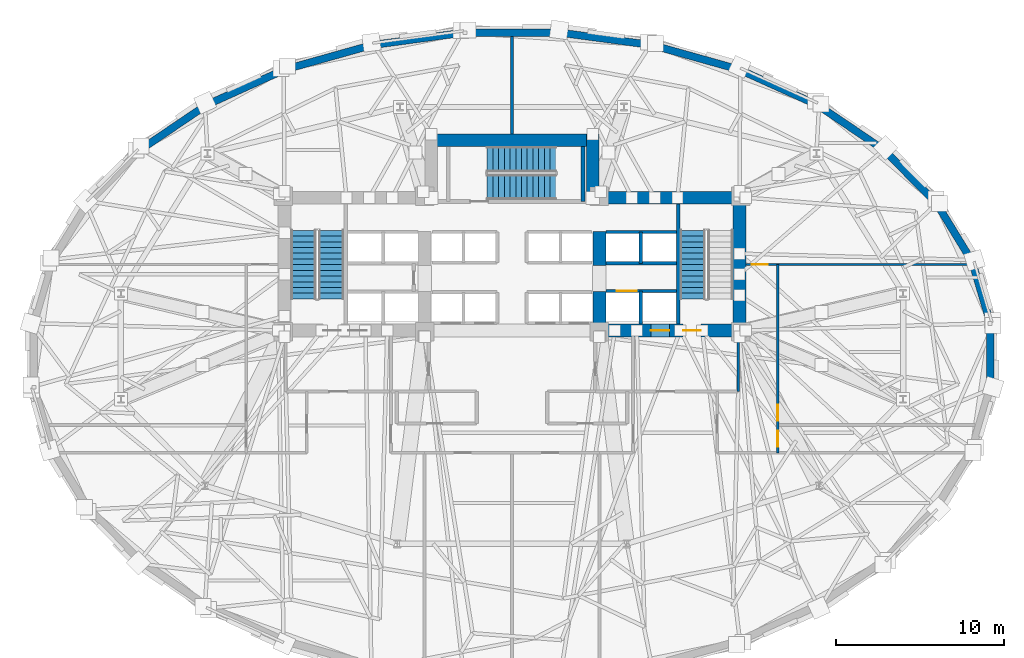
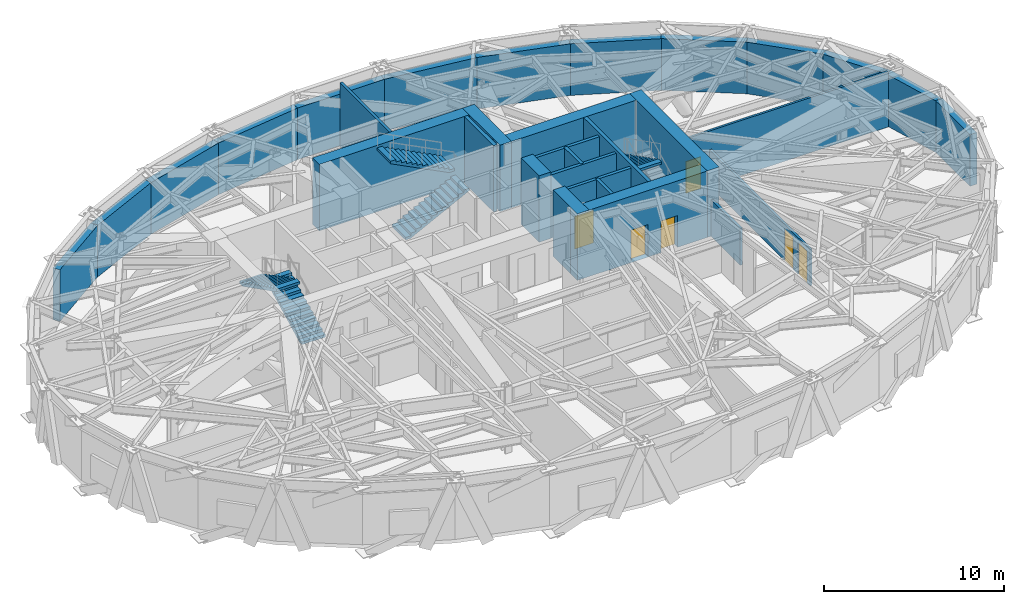
# One storey, part 9 of 14: 31 walls, 6 doors, 5 stair flights, 6 openings, 3 elements without a shape of their own.
"""IFC4 building model written with IfcOpenShell, lengths in metres."""

from ifc_helpers import new_model, si_unit, direction, frame, frame_2d, origin, place, context, subcontext, project, spatial, polyline, rectangle, outline, extrude, material, layer, layer_set, type_object, element, fill, aggregate, save


model = new_model("IFC4")

# Units and contexts
model_context = context("Model", 3, precision=1e-05, world=origin(), true_north=direction((0.0, 1.0)))
body_context = subcontext(model_context, "Body", "Model", "MODEL_VIEW")
ifc_project = project(units=[si_unit("LENGTHUNIT", "METRE"), si_unit("AREAUNIT", "SQUARE_METRE"), si_unit("VOLUMEUNIT", "CUBIC_METRE"), si_unit("PLANEANGLEUNIT", "RADIAN"), si_unit("MASSUNIT", "GRAM", prefix="KILO")], contexts=[model_context])

# Site, building, storey
site_placement = place(None, origin())
site = spatial("IfcSite", under=ifc_project, at=site_placement, CompositionType="ELEMENT")
building_placement = place(site_placement, origin())
building = spatial("IfcBuilding", under=site, at=building_placement, Name="Keldmark Tower", CompositionType="ELEMENT")
storey_placement = place(building_placement, frame((0.0, 0.0, 77.39990234375)))
storey = spatial("IfcBuildingStorey", under=building, at=storey_placement, Name="L20", CompositionType="ELEMENT", Elevation=77.39990234375)

# Wall, openings, doors
ifc_material_1 = material(Name="Acoustic Double-Layer Gypsum Corridor Partition", Category="gypsum")
ifc_layer_1 = layer(ifc_material_1, 0.139892578125)
ifc_layer_set_1 = layer_set([ifc_layer_1], Name="Acoustic Double-Layer Gypsum Corridor Partition")
wall_type_1 = type_object("IfcWallType", Name="Acoustic Corridor Partition 140 mm", PredefinedType="PARTITIONING", material=ifc_layer_set_1)
wall_1_placement = place(storey_placement, frame((15.800048828125, -5.800048828125, 0.0), z_axis=(0.0, 0.0, 1.0), x_axis=(0.0, 1.0, 0.0)))
wall_1 = element("IfcWall", 1, at=wall_1_placement, inside=storey, type_object=wall_type_1, Name="L20 Acoustic Corridor Partition 140 mm PCOR-E", PredefinedType="PARTITIONING", context=body_context, shape_type="SweptSolid", body=[
    extrude(rectangle(XDim=11.199951171875, YDim=0.139892578125, at=frame_2d((5.60009765625, 0.0))), origin(), (0.0, 0.0, 1.0), 2.47021484375),
])
opening_1_placement = place(wall_1_placement, frame((0.35009765625, 0.0, 0.0)))
opening_1 = element("IfcOpeningElement", 2, at=opening_1_placement, cuts=wall_1, Name="Opening D-AWC95", PredefinedType="OPENING", context=body_context, shape_type="SweptSolid", body=[
    extrude(rectangle(XDim=0.949951171875, YDim=2.14990234375, at=frame_2d((0.47509765625, 1.074951171875))), frame((0.0, 0.079833984375, 0.0), z_axis=(0.0, -1.0, 0.0), x_axis=(1.0, 0.0, 0.0)), (0.0, 0.0, 1.0), 0.159912109375),
])
opening_2_placement = place(wall_1_placement, frame((1.89990234375, 0.0, 0.0)))
opening_2 = element("IfcOpeningElement", 3, at=opening_2_placement, cuts=wall_1, Name="Opening D-AWC95", PredefinedType="OPENING", context=body_context, shape_type="SweptSolid", body=[
    extrude(rectangle(XDim=0.949951171875, YDim=2.14990234375, at=frame_2d((0.47509765625, 1.074951171875))), frame((0.0, 0.079833984375, 0.0), z_axis=(0.0, -1.0, 0.0), x_axis=(1.0, 0.0, 0.0)), (0.0, 0.0, 1.0), 0.159912109375),
])
ifc_material_2 = material(Name="Painted Solid-Core Architectural Wood", Category="wood")
door_type_1 = type_object("IfcDoorType", Name="Accessible WC Door 950x2150", OperationType="NOTDEFINED", PredefinedType="DOOR", material=ifc_material_2)
door_1_placement = place(opening_1_placement, origin())
door_1 = element("IfcDoor", 4, at=door_1_placement, inside=storey, type_object=door_type_1, Name="L20 Accessible WC Door 950x2150 D-PLE1-L20", OperationType="SINGLE_SWING_RIGHT", OverallHeight=2.14990234375, OverallWidth=0.949951171875, PredefinedType="DOOR", context=body_context, shape_type="SweptSolid", body=[
    extrude(rectangle(XDim=0.949951171875, YDim=2.14990234375, at=frame_2d((0.47509765625, 1.074951171875))), frame((0.0, 0.02490234375, 0.0), z_axis=(0.0, -1.0, 0.0), x_axis=(1.0, 0.0, 0.0)), (0.0, 0.0, 1.0), 0.050048828125),
])
fill(opening_1, door_1)
door_2_placement = place(opening_2_placement, origin())
door_2 = element("IfcDoor", 5, at=door_2_placement, inside=storey, type_object=door_type_1, Name="L20 Accessible WC Door 950x2150 D-PLE2-L20", OperationType="SINGLE_SWING_LEFT", OverallHeight=2.14990234375, OverallWidth=0.949951171875, PredefinedType="DOOR", context=body_context, shape_type="SweptSolid", body=[
    extrude(rectangle(XDim=0.949951171875, YDim=2.14990234375, at=frame_2d((0.47509765625, 1.074951171875))), frame((0.0, 0.02490234375, 0.0), z_axis=(0.0, -1.0, 0.0), x_axis=(1.0, 0.0, 0.0)), (0.0, 0.0, 1.0), 0.050048828125),
])
fill(opening_2, door_2)

# Wall, opening, door
wall_2_placement = place(storey_placement, frame((13.89990234375, 5.39990234375, 0.0), z_axis=(0.0, 0.0, 1.0), x_axis=(1.0, 0.0, 0.0)))
wall_2 = element("IfcWall", 6, at=wall_2_placement, inside=storey, type_object=wall_type_1, Name="L20 Acoustic Corridor Partition 140 mm PCOR-EN", PredefinedType="PARTITIONING", context=body_context, shape_type="SweptSolid", body=[
    extrude(rectangle(XDim=13.26953125, YDim=0.139892578125, at=frame_2d((6.634765625, 0.0))), origin(), (0.0, 0.0, 1.0), 3.733154296875),
])
opening_3_placement = place(wall_2_placement, frame((0.35009765625, 0.0, 0.0)))
opening_3 = element("IfcOpeningElement", 7, at=opening_3_placement, cuts=wall_2, Name="Opening D-AWC95", PredefinedType="OPENING", context=body_context, shape_type="SweptSolid", body=[
    extrude(rectangle(XDim=0.949951171875, YDim=2.14990234375, at=frame_2d((0.47509765625, 1.074951171875))), frame((0.0, 0.079833984375, 0.0), z_axis=(0.0, -1.0, 0.0), x_axis=(1.0, 0.0, 0.0)), (0.0, 0.0, 1.0), 0.159912109375),
])
door_3_placement = place(opening_3_placement, origin())
door_3 = element("IfcDoor", 8, at=door_3_placement, inside=storey, type_object=door_type_1, Name="L20 Accessible WC Door 950x2150 D-NRNE-L20", OperationType="SINGLE_SWING_RIGHT", OverallHeight=2.14990234375, OverallWidth=0.949951171875, PredefinedType="DOOR", context=body_context, shape_type="SweptSolid", body=[
    extrude(rectangle(XDim=0.949951171875, YDim=2.14990234375, at=frame_2d((0.47509765625, 1.074951171875))), frame((0.0, 0.02490234375, 0.0), z_axis=(0.0, -1.0, 0.0), x_axis=(1.0, 0.0, 0.0)), (0.0, 0.0, 1.0), 0.050048828125),
])
fill(opening_3, door_3)

# Walls
ifc_material_3 = material(Name="Concrete C70/85", Category="concrete")
ifc_layer_2 = layer(ifc_material_3, 0.75)
ifc_layer_set_2 = layer_set([ifc_layer_2], Name="Concrete C70/85")
wall_type_2 = type_object("IfcWallType", Name="Low-Mid Core Shear Wall 750 mm", PredefinedType="SHEAR", material=ifc_layer_set_2)
wall_3_placement = place(storey_placement, frame((13.52490234375, 1.10009765625, 0.0), z_axis=(0.0, 0.0, 1.0), x_axis=(0.0, 1.0, 0.0)))
element("IfcWall", 9, at=wall_3_placement, inside=storey, type_object=wall_type_2, Name="L20 East Core Outer Shear Wall", PredefinedType="SHEAR", context=body_context, shape_type="SweptSolid", body=[
    extrude(rectangle(XDim=8.64990234375, YDim=0.75, at=frame_2d((4.324951171875, 0.0))), origin(), (0.0, 0.0, 1.0), 4.5),
])
wall_4_placement = place(storey_placement, frame((4.425048828125, 9.375, 0.0), z_axis=(0.0, 0.0, 1.0), x_axis=(1.0, 0.0, 0.0)))
element("IfcWall", 10, at=wall_4_placement, inside=storey, type_object=wall_type_2, Name="L20 East Core North Shear Wall", PredefinedType="SHEAR", context=body_context, shape_type="SweptSolid", body=[
    extrude(rectangle(XDim=9.474853515625, YDim=0.75, at=frame_2d((4.7373046875, 0.0))), origin(), (0.0, 0.0, 1.0), 4.5),
])

# Wall, openings, doors
wall_5_placement = place(storey_placement, frame((13.89990234375, 1.47509765625, 0.0), z_axis=(0.0, 0.0, 1.0), x_axis=(-1.0, 0.0, 0.0)))
wall_5 = element("IfcWall", 11, at=wall_5_placement, inside=storey, type_object=wall_type_2, Name="L20 East Core South Shear Wall", PredefinedType="SHEAR", context=body_context, shape_type="SweptSolid", body=[
    extrude(rectangle(XDim=9.074951171875, YDim=0.75, at=frame_2d((4.53759765625, 0.0))), origin(), (0.0, 0.0, 1.0), 4.5),
])
opening_4_placement = place(wall_5_placement, frame((2.669921875, 0.0, 0.0)))
opening_4 = element("IfcOpeningElement", 12, at=opening_4_placement, cuts=wall_5, Name="Opening D-ST105", PredefinedType="OPENING", context=body_context, shape_type="SweptSolid", body=[
    extrude(rectangle(XDim=1.050048828125, YDim=2.14990234375, at=frame_2d((0.52490234375, 1.074951171875))), frame((0.0, 0.385009765625, 0.0), z_axis=(0.0, -1.0, 0.0), x_axis=(1.0, 0.0, 0.0)), (0.0, 0.0, 1.0), 0.77001953125),
])
opening_5_placement = place(wall_5_placement, frame((4.550048828125, 0.0, 0.0)))
opening_5 = element("IfcOpeningElement", 13, at=opening_5_placement, cuts=wall_5, Name="Opening LD-110", PredefinedType="OPENING", context=body_context, shape_type="SweptSolid", body=[
    extrude(rectangle(XDim=1.10009765625, YDim=2.199951171875, at=frame_2d((0.550048828125, 1.10009765625))), frame((0.0, 0.385009765625, 0.0), z_axis=(0.0, -1.0, 0.0), x_axis=(1.0, 0.0, 0.0)), (0.0, 0.0, 1.0), 0.77001953125),
])
ifc_material_4 = material(Name="Brushed Bronze Hoistway Sliding Leaf", Category="metal")
door_type_2 = type_object("IfcDoorType", Name="Lift Landing Sliding Door 1100x2200", OperationType="SLIDING_TO_LEFT", PredefinedType="DOOR", material=ifc_material_4)
door_4_placement = place(opening_5_placement, origin())
door_4 = element("IfcDoor", 14, at=door_4_placement, inside=storey, type_object=door_type_2, Name="L20 Lift Landing Sliding Door 1100x2200 LD-EL-FS2-L20", OperationType="SLIDING_TO_LEFT", OverallHeight=2.199951171875, OverallWidth=1.10009765625, PredefinedType="DOOR", context=body_context, shape_type="SweptSolid", body=[
    extrude(rectangle(XDim=1.10009765625, YDim=2.199951171875, at=frame_2d((0.550048828125, 1.10009765625))), frame((0.0, 0.02490234375, 0.0), z_axis=(0.0, -1.0, 0.0), x_axis=(1.0, 0.0, 0.0)), (0.0, 0.0, 1.0), 0.050048828125),
])
fill(opening_5, door_4)
ifc_material_5 = material(Name="Hollow Metal Fire-Rated Door Assembly", Category="metal")
door_type_3 = type_object("IfcDoorType", Name="Stair Fire Door 1050x2150", OperationType="NOTDEFINED", PredefinedType="DOOR", material=ifc_material_5)
door_5_placement = place(opening_4_placement, origin())
door_5 = element("IfcDoor", 15, at=door_5_placement, inside=storey, type_object=door_type_3, Name="L20 Stair Fire Door 1050x2150 D-ST2-L20", OperationType="SINGLE_SWING_LEFT", OverallHeight=2.14990234375, OverallWidth=1.050048828125, PredefinedType="DOOR", context=body_context, shape_type="SweptSolid", body=[
    extrude(rectangle(XDim=1.050048828125, YDim=2.14990234375, at=frame_2d((0.52490234375, 1.074951171875))), frame((0.0, 0.02490234375, 0.0), z_axis=(0.0, -1.0, 0.0), x_axis=(1.0, 0.0, 0.0)), (0.0, 0.0, 1.0), 0.050048828125),
])
fill(opening_4, door_5)

# Walls
wall_6_placement = place(storey_placement, frame((5.199951171875, 1.10009765625, 0.0), z_axis=(0.0, 0.0, 1.0), x_axis=(0.0, 1.0, 0.0)))
element("IfcWall", 16, at=wall_6_placement, inside=storey, type_object=wall_type_2, Name="L20 East Core Inner Shear Pier South", PredefinedType="SHEAR", context=body_context, shape_type="SweptSolid", body=[
    extrude(rectangle(XDim=2.699951171875, YDim=0.75, at=frame_2d((1.35009765625, 0.0))), origin(), (0.0, 0.0, 1.0), 4.5),
])
wall_7_placement = place(storey_placement, frame((5.199951171875, 5.35009765625, 0.0), z_axis=(0.0, 0.0, 1.0), x_axis=(0.0, 1.0, 0.0)))
element("IfcWall", 17, at=wall_7_placement, inside=storey, type_object=wall_type_2, Name="L20 East Core Inner Shear Pier North", PredefinedType="SHEAR", context=body_context, shape_type="SweptSolid", body=[
    extrude(rectangle(XDim=2.0, YDim=0.75, at=frame_2d((1.0, 0.0))), origin(), (0.0, 0.0, 1.0), 4.5),
])
wall_8_placement = place(storey_placement, frame((-5.175048828125, 12.77490234375, 0.0), z_axis=(0.0, 0.0, 1.0), x_axis=(1.0, 0.0, 0.0)))
element("IfcWall", 18, at=wall_8_placement, inside=storey, type_object=wall_type_2, Name="L20 North Core Shear Wall", PredefinedType="SHEAR", context=body_context, shape_type="SweptSolid", body=[
    extrude(rectangle(XDim=10.35009765625, YDim=0.75, at=frame_2d((5.175048828125, 0.0))), origin(), (0.0, 0.0, 1.0), 4.5),
])
wall_9_placement = place(storey_placement, frame((4.800048828125, 9.0, 0.0), z_axis=(0.0, 0.0, 1.0), x_axis=(0.0, 1.0, 0.0)))
element("IfcWall", 19, at=wall_9_placement, inside=storey, type_object=wall_type_2, Name="L20 North Core East Shear Wall", PredefinedType="SHEAR", context=body_context, shape_type="SweptSolid", body=[
    extrude(rectangle(XDim=4.14990234375, YDim=0.75, at=frame_2d((2.074951171875, 0.0))), origin(), (0.0, 0.0, 1.0), 4.5),
])
ifc_material_6 = material(Name="Type X Fire-Rated Gypsum Partition Assembly", Category="gypsum")
ifc_layer_3 = layer(ifc_material_6, 0.1650390625)
ifc_layer_set_3 = layer_set([ifc_layer_3], Name="Type X Fire-Rated Gypsum Partition Assembly")
wall_type_3 = type_object("IfcWallType", Name="Rated Partition 165 mm", PredefinedType="PARTITIONING", material=ifc_layer_set_3)
wall_10_placement = place(storey_placement, frame((13.449951171875, -2.14990234375, 0.0), z_axis=(0.0, 0.0, 1.0), x_axis=(0.0, 1.0, 0.0)))
element("IfcWall", 20, at=wall_10_placement, inside=storey, type_object=wall_type_3, Name="L20 Rated Partition 165 mm FSAE-E-E", PredefinedType="PARTITIONING", context=body_context, shape_type="SweptSolid", body=[
    extrude(rectangle(XDim=3.2998046875, YDim=0.1650390625, at=frame_2d((1.64990234375, 0.0))), origin(), (0.0, 0.0, 1.0), 2.47021484375),
])
wall_11_placement = place(storey_placement, frame((0.0, 13.14990234375, 0.0), z_axis=(0.0, 0.0, 1.0), x_axis=(0.0, 1.0, 0.0)))
element("IfcWall", 21, at=wall_11_placement, inside=storey, type_object=wall_type_3, Name="L20 Rated Partition 165 mm NPL-DIV", PredefinedType="PARTITIONING", context=body_context, shape_type="SweptSolid", body=[
    extrude(rectangle(XDim=5.80810546875, YDim=0.1650390625, at=frame_2d((2.904052734375, 0.0))), origin(), (0.0, 0.0, 1.0), 4.280029296875),
])

# Wall, opening, door
ifc_material_7 = material(Name="Fire-Resistant Type X Gypsum Shaftliner Coreboard", Category="gypsum")
ifc_layer_4 = layer(ifc_material_7, 0.199951171875)
ifc_layer_set_4 = layer_set([ifc_layer_4], Name="Fire-Resistant Type X Gypsum Shaftliner Coreboard")
wall_type_4 = type_object("IfcWallType", Name="Shaft Wall 200 mm", PredefinedType="SOLIDWALL", material=ifc_layer_set_4)
wall_12_placement = place(storey_placement, frame((5.574951171875, 3.820068359375, 0.0), z_axis=(0.0, 0.0, 1.0), x_axis=(1.0, 0.0, 0.0)))
wall_12 = element("IfcWall", 22, at=wall_12_placement, inside=storey, type_object=wall_type_4, Name="L20 Shaft Wall 200 mm HW-E-S", PredefinedType="SOLIDWALL", context=body_context, shape_type="SweptSolid", body=[
    extrude(rectangle(XDim=4.205078125, YDim=0.199951171875, at=frame_2d((2.1025390625, 0.0))), origin(), (0.0, 0.0, 1.0), 4.280029296875),
])
opening_6_placement = place(wall_12_placement, frame((0.64990234375, 0.0, 0.0)))
opening_6 = element("IfcOpeningElement", 23, at=opening_6_placement, cuts=wall_12, Name="Opening LD-120", PredefinedType="OPENING", context=body_context, shape_type="SweptSolid", body=[
    extrude(rectangle(XDim=1.199951171875, YDim=2.199951171875, at=frame_2d((0.60009765625, 1.10009765625))), frame((0.0, 0.10986328125, 0.0), z_axis=(0.0, -1.0, 0.0), x_axis=(1.0, 0.0, 0.0)), (0.0, 0.0, 1.0), 0.219970703125),
])
ifc_material_8 = material(Name="Heavy-Duty Brushed Metal Hoistway Sliding Leaf", Category="metal")
door_type_4 = type_object("IfcDoorType", Name="Service Lift Sliding Door 1200x2200", OperationType="SLIDING_TO_RIGHT", PredefinedType="DOOR", material=ifc_material_8)
door_6_placement = place(opening_6_placement, origin())
door_6 = element("IfcDoor", 24, at=door_6_placement, inside=storey, type_object=door_type_4, Name="L20 Service Lift Sliding Door 1200x2200 LD-EL-SV1-L20", OperationType="SLIDING_TO_RIGHT", OverallHeight=2.199951171875, OverallWidth=1.199951171875, PredefinedType="DOOR", context=body_context, shape_type="SweptSolid", body=[
    extrude(rectangle(XDim=1.199951171875, YDim=2.199951171875, at=frame_2d((0.60009765625, 1.10009765625))), frame((0.0, 0.02490234375, 0.0), z_axis=(0.0, -1.0, 0.0), x_axis=(1.0, 0.0, 0.0)), (0.0, 0.0, 1.0), 0.050048828125),
])
fill(opening_6, door_6)

# Walls
wall_13_placement = place(storey_placement, frame((7.64990234375, 1.85009765625, 0.0), z_axis=(0.0, 0.0, 1.0), x_axis=(0.0, 1.0, 0.0)))
element("IfcWall", 25, at=wall_13_placement, inside=storey, type_object=wall_type_4, Name="L20 Shaft Wall 200 mm HW-E-M", PredefinedType="SOLIDWALL", context=body_context, shape_type="SweptSolid", body=[
    extrude(rectangle(XDim=1.969970703125, YDim=0.199951171875, at=frame_2d((0.98486328125, 0.0))), origin(), (0.0, 0.0, 1.0), 4.280029296875),
])
for number, where, z_axis, x_axis, name in (
    (26, (5.574951171875, 5.469970703125, 0.0), (0.0, 0.0, 1.0), (1.0, 0.0, 0.0), "L20 Shaft Wall 200 mm HW-E-N"),
    (27, (5.574951171875, 7.330078125, 0.0), (0.0, 0.0, 1.0), (1.0, 0.0, 0.0), "L20 Shaft Wall 200 mm HW-E-TOP"),
):
    element("IfcWall", number, at=place(storey_placement, frame(where, z_axis=z_axis, x_axis=x_axis)), inside=storey, type_object=wall_type_4, Name=name, PredefinedType="SOLIDWALL", context=body_context, shape_type="SweptSolid", body=[
        extrude(rectangle(XDim=4.205078125, YDim=0.199951171875, at=frame_2d((2.1025390625, 0.0))), origin(), (0.0, 0.0, 1.0), 4.280029296875),
    ])
wall_14_placement = place(storey_placement, frame((7.64990234375, 5.469970703125, 0.0), z_axis=(0.0, 0.0, 1.0), x_axis=(0.0, 1.0, 0.0)))
element("IfcWall", 28, at=wall_14_placement, inside=storey, type_object=wall_type_4, Name="L20 Shaft Wall 200 mm HW-E-NM", PredefinedType="SOLIDWALL", context=body_context, shape_type="SweptSolid", body=[
    extrude(rectangle(XDim=1.860107421875, YDim=0.199951171875, at=frame_2d((0.93017578125, 0.0))), origin(), (0.0, 0.0, 1.0), 4.280029296875),
])
ifc_material_9 = material(Name="Concrete C50/60", Category="concrete")
ifc_layer_5 = layer(ifc_material_9, 0.219970703125)
ifc_layer_set_5 = layer_set([ifc_layer_5], Name="Concrete C50/60")
wall_type_5 = type_object("IfcWallType", Name="Stair Core Shear Wall 220 mm", PredefinedType="SHEAR", material=ifc_layer_set_5)
wall_15_placement = place(storey_placement, frame((9.889892578125, 1.85009765625, 0.0), z_axis=(0.0, 0.0, 1.0), x_axis=(0.0, 1.0, 0.0)))
element("IfcWall", 29, at=wall_15_placement, inside=storey, type_object=wall_type_5, Name="L20 East Stair Core Shear Wall", PredefinedType="SHEAR", context=body_context, shape_type="SweptSolid", body=[
    extrude(rectangle(XDim=7.14990234375, YDim=0.219970703125, at=frame_2d((3.574951171875, 0.0))), origin(), (0.0, 0.0, 1.0), 4.5),
])
wall_16_placement = place(storey_placement, frame((4.215087890625, 9.139892578125, 0.0), z_axis=(0.0, 0.0, 1.0), x_axis=(0.0, 1.0, 0.0)))
element("IfcWall", 30, at=wall_16_placement, inside=storey, type_object=wall_type_5, Name="L20 Central Stair Core East Shear Wall", PredefinedType="SHEAR", context=body_context, shape_type="SweptSolid", body=[
    extrude(rectangle(XDim=3.260009765625, YDim=0.219970703125, at=frame_2d((1.6298828125, 0.0))), origin(), (0.0, 0.0, 1.0), 4.5),
])
ifc_material_10 = material(Name="Ironspot Manganese Brick and Kasota Buff Limestone Spandrel Assembly", Category="masonry")
ifc_layer_6 = layer(ifc_material_10, 0.43994140625)
ifc_layer_set_6 = layer_set([ifc_layer_6], Name="Ironspot Manganese Brick and Kasota Buff Limestone Spandrel Assembly")
wall_type_6 = type_object("IfcWallType", Name="Tower Brick Pier and Spandrel Wall 440 mm", PredefinedType="STANDARD", material=ifc_layer_set_6)
wall_17_placement = place(storey_placement, frame((27.348876953125, 5.5986328125, 0.0), z_axis=(0.0, 0.0, 1.0), x_axis=(0.281834819638, -0.959462940629, 0.0)))
element("IfcWall", 31, at=wall_17_placement, inside=storey, type_object=wall_type_6, Name="L20 Exterior Brick and Spandrel Wall 01", PredefinedType="STANDARD", context=body_context, shape_type="SweptSolid", body=[
    extrude(rectangle(XDim=3.90771484375, YDim=0.43994140625, at=frame_2d((1.953857421875, 0.0))), origin(), (0.0, 0.0, 1.0), 3.498046875),
])
wall_18_placement = place(storey_placement, frame((25.211669921875, 9.077392578125, 0.0), z_axis=(0.0, 0.0, 1.0), x_axis=(0.521891226532, -0.85301204427, 0.0)))
element("IfcWall", 32, at=wall_18_placement, inside=storey, type_object=wall_type_6, Name="L20 Exterior Brick and Spandrel Wall 02", PredefinedType="STANDARD", context=body_context, shape_type="SweptSolid", body=[
    extrude(rectangle(XDim=4.14013671875, YDim=0.43994140625, at=frame_2d((2.070068359375, 0.0))), origin(), (0.0, 0.0, 1.0), 3.498046875),
])
wall_19_placement = place(storey_placement, frame((22.106201171875, 12.21630859375, 0.0), z_axis=(0.0, 0.0, 1.0), x_axis=(0.702361901729, -0.711820032733, 0.0)))
element("IfcWall", 33, at=wall_19_placement, inside=storey, type_object=wall_type_6, Name="L20 Exterior Brick and Spandrel Wall 03", PredefinedType="STANDARD", context=body_context, shape_type="SweptSolid", body=[
    extrude(rectangle(XDim=4.465576171875, YDim=0.43994140625, at=frame_2d((2.23291015625, 0.0))), origin(), (0.0, 0.0, 1.0), 3.498046875),
])
wall_20_placement = place(storey_placement, frame((18.147216796875, 14.8916015625, 0.0), z_axis=(0.0, 0.0, 1.0), x_axis=(0.82804003003, -0.560668983151, 0.0)))
element("IfcWall", 34, at=wall_20_placement, inside=storey, type_object=wall_type_6, Name="L20 Exterior Brick and Spandrel Wall 04", PredefinedType="STANDARD", context=body_context, shape_type="SweptSolid", body=[
    extrude(rectangle(XDim=4.8212890625, YDim=0.43994140625, at=frame_2d((2.41064453125, 0.0))), origin(), (0.0, 0.0, 1.0), 3.498046875),
])
wall_21_placement = place(storey_placement, frame((13.485595703125, 16.9970703125, 0.0), z_axis=(0.0, 0.0, 1.0), x_axis=(0.911088856004, -0.412210014999, 0.0)))
element("IfcWall", 35, at=wall_21_placement, inside=storey, type_object=wall_type_6, Name="L20 Exterior Brick and Spandrel Wall 05", PredefinedType="STANDARD", context=body_context, shape_type="SweptSolid", body=[
    extrude(rectangle(XDim=5.152099609375, YDim=0.43994140625, at=frame_2d((2.576171875, 0.0))), origin(), (0.0, 0.0, 1.0), 3.498046875),
])
wall_22_placement = place(storey_placement, frame((8.30078125, 18.448486328125, 0.0), z_axis=(0.0, 0.0, 1.0), x_axis=(0.962849260033, -0.270039446109, 0.0)))
element("IfcWall", 36, at=wall_22_placement, inside=storey, type_object=wall_type_6, Name="L20 Exterior Brick and Spandrel Wall 06", PredefinedType="STANDARD", context=body_context, shape_type="SweptSolid", body=[
    extrude(rectangle(XDim=5.417236328125, YDim=0.43994140625, at=frame_2d((2.70849609375, 0.0))), origin(), (0.0, 0.0, 1.0), 3.498046875),
])
wall_23_placement = place(storey_placement, frame((2.79345703125, 19.18798828125, 0.0), z_axis=(0.0, 0.0, 1.0), x_axis=(0.9910561058, -0.133445851026, 0.0)))
element("IfcWall", 37, at=wall_23_placement, inside=storey, type_object=wall_type_6, Name="L20 Exterior Brick and Spandrel Wall 07", PredefinedType="STANDARD", context=body_context, shape_type="SweptSolid", body=[
    extrude(rectangle(XDim=5.58740234375, YDim=0.43994140625, at=frame_2d((2.793701171875, 0.0))), origin(), (0.0, 0.0, 1.0), 3.498046875),
])
wall_24_placement = place(storey_placement, frame((-2.822998046875, 19.18603515625, 0.0), z_axis=(0.0, 0.0, 1.0), x_axis=(1.0, 0.0, 0.0)))
element("IfcWall", 38, at=wall_24_placement, inside=storey, type_object=wall_type_6, Name="L20 Exterior Brick and Spandrel Wall 08", PredefinedType="STANDARD", context=body_context, shape_type="SweptSolid", body=[
    extrude(rectangle(XDim=5.64599609375, YDim=0.43994140625, at=frame_2d((2.822998046875, 0.0))), origin(), (0.0, 0.0, 1.0), 3.498046875),
])
wall_25_placement = place(storey_placement, frame((-8.330810546875, 18.4423828125, 0.0), z_axis=(0.0, 0.0, 1.0), x_axis=(0.9910561058, 0.133445851026, 0.0)))
element("IfcWall", 39, at=wall_25_placement, inside=storey, type_object=wall_type_6, Name="L20 Exterior Brick and Spandrel Wall 09", PredefinedType="STANDARD", context=body_context, shape_type="SweptSolid", body=[
    extrude(rectangle(XDim=5.58740234375, YDim=0.43994140625, at=frame_2d((2.793701171875, 0.0))), origin(), (0.0, 0.0, 1.0), 3.498046875),
])
wall_26_placement = place(storey_placement, frame((-13.516845703125, 16.985595703125, 0.0), z_axis=(0.0, 0.0, 1.0), x_axis=(0.962849260033, 0.270039446109, 0.0)))
element("IfcWall", 40, at=wall_26_placement, inside=storey, type_object=wall_type_6, Name="L20 Exterior Brick and Spandrel Wall 10", PredefinedType="STANDARD", context=body_context, shape_type="SweptSolid", body=[
    extrude(rectangle(XDim=5.417236328125, YDim=0.43994140625, at=frame_2d((2.70849609375, 0.0))), origin(), (0.0, 0.0, 1.0), 3.498046875),
])
wall_27_placement = place(storey_placement, frame((-18.1796875, 14.873291015625, 0.0), z_axis=(0.0, 0.0, 1.0), x_axis=(0.911088856004, 0.412210014999, 0.0)))
element("IfcWall", 41, at=wall_27_placement, inside=storey, type_object=wall_type_6, Name="L20 Exterior Brick and Spandrel Wall 11", PredefinedType="STANDARD", context=body_context, shape_type="SweptSolid", body=[
    extrude(rectangle(XDim=5.152099609375, YDim=0.43994140625, at=frame_2d((2.576171875, 0.0))), origin(), (0.0, 0.0, 1.0), 3.498046875),
])
wall_28_placement = place(storey_placement, frame((-22.139404296875, 12.1884765625, 0.0), z_axis=(0.0, 0.0, 1.0), x_axis=(0.82804003003, 0.560668983151, 0.0)))
element("IfcWall", 42, at=wall_28_placement, inside=storey, type_object=wall_type_6, Name="L20 Exterior Brick and Spandrel Wall 12", PredefinedType="STANDARD", context=body_context, shape_type="SweptSolid", body=[
    extrude(rectangle(XDim=4.8212890625, YDim=0.43994140625, at=frame_2d((2.41064453125, 0.0))), origin(), (0.0, 0.0, 1.0), 3.498046875),
])
wall_29_placement = place(storey_placement, frame((28.44140625, 1.911376953125, 0.0), z_axis=(0.0, 0.0, 1.0), x_axis=(0.0, -1.0, 0.0)))
element("IfcWall", 43, at=wall_29_placement, inside=storey, type_object=wall_type_6, Name="L20 Exterior Brick and Spandrel Wall 32", PredefinedType="STANDARD", context=body_context, shape_type="SweptSolid", body=[
    extrude(rectangle(XDim=3.82275390625, YDim=0.43994140625, at=frame_2d((1.911376953125, 0.0))), origin(), (0.0, 0.0, 1.0), 3.498046875),
])

# Stair, stair flights
ifc_material_11 = material(Name="Concrete C40/50", Category="concrete")
stair_type = type_object("IfcStairType", Name="Precast Concrete Core Exit Stair", PredefinedType="HALF_TURN_STAIR", material=ifc_material_11)
stair_1_placement = place(storey_placement, origin())
stair_1 = element("IfcStair", 44, at=stair_1_placement, inside=storey, type_object=stair_type, Name="L20 Exit Stair ST1", PredefinedType="HALF_TURN_STAIR")
ifc_material_12 = material(Name="Concrete C40/50", Category="concrete")
stair_flight_type = type_object("IfcStairFlightType", Name="Precast Concrete Stair Flight 1500 mm", PredefinedType="STRAIGHT", material=ifc_material_12)
stair_flight_1_placement = place(storey_placement, frame((-10.75, 3.35009765625, 0.0), z_axis=(0.0, 0.0, 1.0), x_axis=(0.0, 1.0, 0.0)))
stair_flight_1 = element("IfcStairFlight", 45, at=stair_flight_1_placement, type_object=stair_flight_type, Name="ST1 flight 1", NumberOfRisers=13, NumberOfTreads=12, PredefinedType="STRAIGHT", RiserHeight=0.173076923, TreadLength=0.34, context=body_context, shape_type="SweptSolid", body=[
    extrude(outline(polyline([(0.0, 0.0), (0.0, 0.173095703125), (0.340087890625, 0.173095703125), (0.340087890625, 0.34619140625), (0.679931640625, 0.34619140625), (0.679931640625, 0.519287109375), (1.02001953125, 0.519287109375), (1.02001953125, 0.6923828125), (1.360107421875, 0.6923828125), (1.360107421875, 0.865478515625), (1.699951171875, 0.865478515625), (1.699951171875, 1.03857421875), (2.0400390625, 1.03857421875), (2.0400390625, 1.21142578125), (2.3798828125, 1.21142578125), (2.3798828125, 1.384521484375), (2.719970703125, 1.384521484375), (2.719970703125, 1.5576171875), (3.06005859375, 1.5576171875), (3.06005859375, 1.730712890625), (3.39990234375, 1.730712890625), (3.39990234375, 1.90380859375), (3.739990234375, 1.90380859375), (3.739990234375, 2.076904296875), (4.080078125, 2.076904296875), (4.080078125, 2.25), (4.080078125, 1.90869140625), (0.330322265625, 0.0), (0.0, 0.0)])), frame((0.0, 0.75, 0.0), z_axis=(0.0, -1.0, 0.0), x_axis=(1.0, 0.0, 0.0)), (0.0, 0.0, 1.0), 1.5),
])
stair_flight_2_placement = place(storey_placement, frame((-12.39990234375, 7.429931640625, 2.25), z_axis=(0.0, 0.0, 1.0), x_axis=(0.0, -1.0, 0.0)))
stair_flight_2 = element("IfcStairFlight", 46, at=stair_flight_2_placement, type_object=stair_flight_type, Name="ST1 flight 2", NumberOfRisers=13, NumberOfTreads=12, PredefinedType="STRAIGHT", RiserHeight=0.173076923, TreadLength=0.34, context=body_context, shape_type="SweptSolid", body=[
    extrude(outline(polyline([(0.0, 0.0), (0.0, 0.173095703125), (0.340087890625, 0.173095703125), (0.340087890625, 0.34619140625), (0.679931640625, 0.34619140625), (0.679931640625, 0.519287109375), (1.02001953125, 0.519287109375), (1.02001953125, 0.6923828125), (1.360107421875, 0.6923828125), (1.360107421875, 0.865478515625), (1.699951171875, 0.865478515625), (1.699951171875, 1.03857421875), (2.0400390625, 1.03857421875), (2.0400390625, 1.21142578125), (2.3798828125, 1.21142578125), (2.3798828125, 1.384521484375), (2.719970703125, 1.384521484375), (2.719970703125, 1.5576171875), (3.06005859375, 1.5576171875), (3.06005859375, 1.730712890625), (3.39990234375, 1.730712890625), (3.39990234375, 1.90380859375), (3.739990234375, 1.90380859375), (3.739990234375, 2.076904296875), (4.080078125, 2.076904296875), (4.080078125, 2.25), (4.080078125, 1.90869140625), (0.330322265625, 0.0), (0.0, 0.0)])), frame((0.0, 0.75, 0.0), z_axis=(0.0, -1.0, 0.0), x_axis=(1.0, 0.0, 0.0)), (0.0, 0.0, 1.0), 1.5),
])
aggregate(stair_1, [stair_flight_1, stair_flight_2])

# Stair, stair flight
stair_2_placement = place(storey_placement, origin())
stair_2 = element("IfcStair", 47, at=stair_2_placement, inside=storey, type_object=stair_type, Name="L20 Exit Stair ST2", PredefinedType="HALF_TURN_STAIR")
stair_flight_3_placement = place(storey_placement, frame((10.75, 7.429931640625, 2.25), z_axis=(0.0, 0.0, 1.0), x_axis=(0.0, -1.0, 0.0)))
stair_flight_3 = element("IfcStairFlight", 48, at=stair_flight_3_placement, type_object=stair_flight_type, Name="ST2 flight 2", NumberOfRisers=13, NumberOfTreads=12, PredefinedType="STRAIGHT", RiserHeight=0.173076923, TreadLength=0.34, context=body_context, shape_type="SweptSolid", body=[
    extrude(outline(polyline([(0.0, 0.0), (0.0, 0.173095703125), (0.340087890625, 0.173095703125), (0.340087890625, 0.34619140625), (0.679931640625, 0.34619140625), (0.679931640625, 0.519287109375), (1.02001953125, 0.519287109375), (1.02001953125, 0.6923828125), (1.360107421875, 0.6923828125), (1.360107421875, 0.865478515625), (1.699951171875, 0.865478515625), (1.699951171875, 1.03857421875), (2.0400390625, 1.03857421875), (2.0400390625, 1.21142578125), (2.3798828125, 1.21142578125), (2.3798828125, 1.384521484375), (2.719970703125, 1.384521484375), (2.719970703125, 1.5576171875), (3.06005859375, 1.5576171875), (3.06005859375, 1.730712890625), (3.39990234375, 1.730712890625), (3.39990234375, 1.90380859375), (3.739990234375, 1.90380859375), (3.739990234375, 2.076904296875), (4.080078125, 2.076904296875), (4.080078125, 2.25), (4.080078125, 1.90869140625), (0.330322265625, 0.0), (0.0, 0.0)])), frame((0.0, 0.75, 0.0), z_axis=(0.0, -1.0, 0.0), x_axis=(1.0, 0.0, 0.0)), (0.0, 0.0, 1.0), 1.5),
])
aggregate(stair_2, [stair_flight_3])

# Stair, stair flights
stair_3_placement = place(storey_placement, origin())
stair_3 = element("IfcStair", 49, at=stair_3_placement, inside=storey, type_object=stair_type, Name="L20 Exit Stair ST3", PredefinedType="HALF_TURN_STAIR")
stair_flight_4_placement = place(storey_placement, frame((-1.47509765625, 10.0, 0.0), z_axis=(0.0, 0.0, 1.0), x_axis=(1.0, 0.0, 0.0)))
stair_flight_4 = element("IfcStairFlight", 50, at=stair_flight_4_placement, type_object=stair_flight_type, Name="ST3 flight 1", NumberOfRisers=13, NumberOfTreads=12, PredefinedType="STRAIGHT", RiserHeight=0.173076923, TreadLength=0.34, context=body_context, shape_type="SweptSolid", body=[
    extrude(outline(polyline([(0.0, 0.0), (0.0, 0.173095703125), (0.340087890625, 0.173095703125), (0.340087890625, 0.34619140625), (0.679931640625, 0.34619140625), (0.679931640625, 0.519287109375), (1.02001953125, 0.519287109375), (1.02001953125, 0.6923828125), (1.360107421875, 0.6923828125), (1.360107421875, 0.865478515625), (1.699951171875, 0.865478515625), (1.699951171875, 1.03857421875), (2.0400390625, 1.03857421875), (2.0400390625, 1.21142578125), (2.3798828125, 1.21142578125), (2.3798828125, 1.384521484375), (2.719970703125, 1.384521484375), (2.719970703125, 1.5576171875), (3.06005859375, 1.5576171875), (3.06005859375, 1.730712890625), (3.39990234375, 1.730712890625), (3.39990234375, 1.90380859375), (3.739990234375, 1.90380859375), (3.739990234375, 2.076904296875), (4.080078125, 2.076904296875), (4.080078125, 2.25), (4.080078125, 1.90869140625), (0.330322265625, 0.0), (0.0, 0.0)])), frame((0.0, 0.75, 0.0), z_axis=(0.0, -1.0, 0.0), x_axis=(1.0, 0.0, 0.0)), (0.0, 0.0, 1.0), 1.5),
])
stair_flight_5_placement = place(storey_placement, frame((2.60498046875, 11.64990234375, 2.25), z_axis=(0.0, 0.0, 1.0), x_axis=(-1.0, 0.0, 0.0)))
stair_flight_5 = element("IfcStairFlight", 51, at=stair_flight_5_placement, type_object=stair_flight_type, Name="ST3 flight 2", NumberOfRisers=13, NumberOfTreads=12, PredefinedType="STRAIGHT", RiserHeight=0.173076923, TreadLength=0.34, context=body_context, shape_type="SweptSolid", body=[
    extrude(outline(polyline([(0.0, 0.0), (0.0, 0.173095703125), (0.340087890625, 0.173095703125), (0.340087890625, 0.34619140625), (0.679931640625, 0.34619140625), (0.679931640625, 0.519287109375), (1.02001953125, 0.519287109375), (1.02001953125, 0.6923828125), (1.360107421875, 0.6923828125), (1.360107421875, 0.865478515625), (1.699951171875, 0.865478515625), (1.699951171875, 1.03857421875), (2.0400390625, 1.03857421875), (2.0400390625, 1.21142578125), (2.3798828125, 1.21142578125), (2.3798828125, 1.384521484375), (2.719970703125, 1.384521484375), (2.719970703125, 1.5576171875), (3.06005859375, 1.5576171875), (3.06005859375, 1.730712890625), (3.39990234375, 1.730712890625), (3.39990234375, 1.90380859375), (3.739990234375, 1.90380859375), (3.739990234375, 2.076904296875), (4.080078125, 2.076904296875), (4.080078125, 2.25), (4.080078125, 1.90869140625), (0.330322265625, 0.0), (0.0, 0.0)])), frame((0.0, 0.75, 0.0), z_axis=(0.0, -1.0, 0.0), x_axis=(1.0, 0.0, 0.0)), (0.0, 0.0, 1.0), 1.5),
])
aggregate(stair_3, [stair_flight_4, stair_flight_5])

save(model, "model.ifc")
